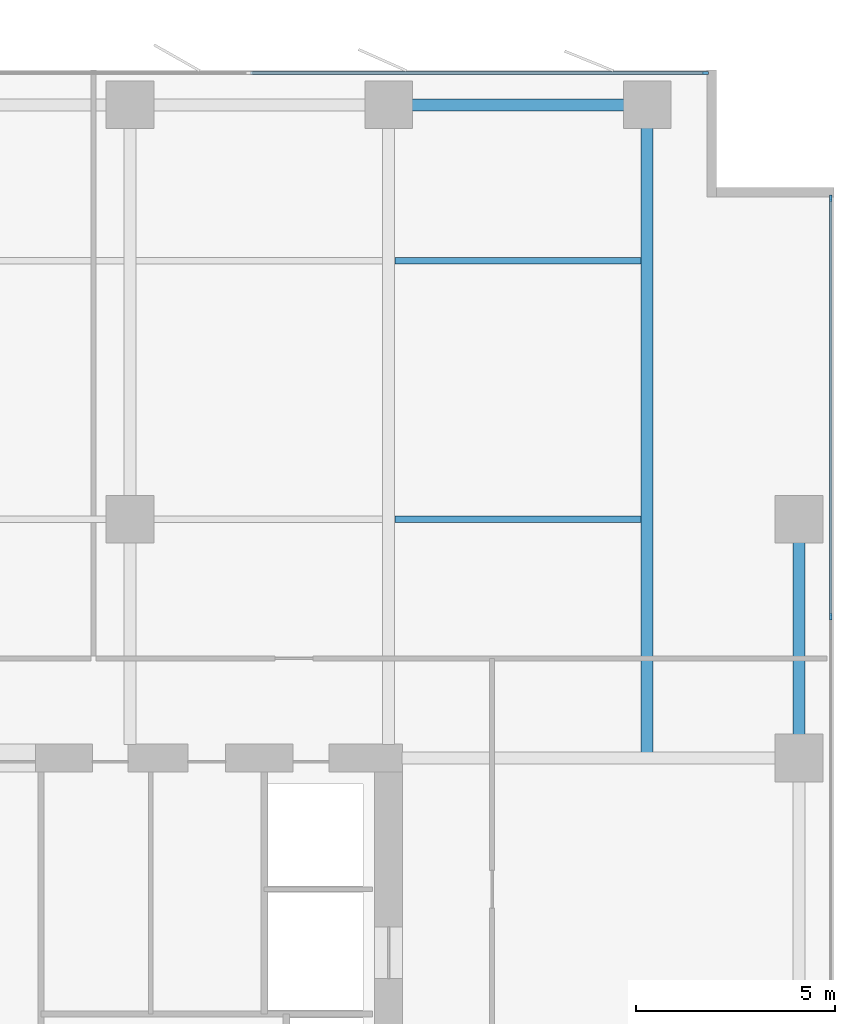
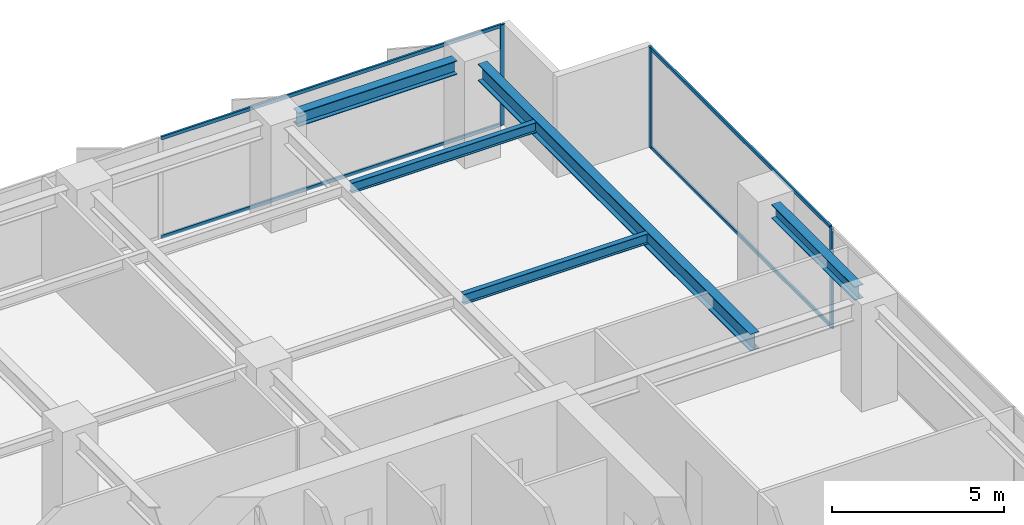
# One storey, part 11 of 20: 7 members, 5 beams, 2 elements without a shape of their own.
"""IFC4 building model written with IfcOpenShell, lengths in metres."""

from ifc_helpers import new_model, si_unit, direction, frame, origin, origin_2d, place, context, subcontext, project, spatial, rectangle, i_section, extrude, material, layer, layer_set, material_profile, profile_set, type_object, element, aggregate, save


model = new_model("IFC4")

# Units and contexts
model_context = context("Model", 3, precision=1e-05, world=origin(), true_north=direction((0.0, 1.0)))
body_context = subcontext(model_context, "Body", "Model", "MODEL_VIEW")
ifc_project = project(units=[si_unit("LENGTHUNIT", "METRE"), si_unit("AREAUNIT", "SQUARE_METRE"), si_unit("VOLUMEUNIT", "CUBIC_METRE"), si_unit("PLANEANGLEUNIT", "RADIAN"), si_unit("MASSUNIT", "GRAM", prefix="KILO")], contexts=[model_context])

# Site, building, storey
site_placement = place(None, origin())
site = spatial("IfcSite", under=ifc_project, at=site_placement, CompositionType="ELEMENT")
building_placement = place(site_placement, origin())
building = spatial("IfcBuilding", under=site, at=building_placement, Name="Putna Gate Headquarters", CompositionType="ELEMENT")
storey_placement = place(building_placement, frame((0.0, 0.0, 101.199951171875)))
storey = spatial("IfcBuildingStorey", under=building, at=storey_placement, Name="L24", CompositionType="ELEMENT", Elevation=101.199951171875)

# Beams
ifc_material_1 = material(Name="Steel S355J2", Category="steel")
ifc_material_profile_1 = material_profile(ifc_material_1, i_section(OverallWidth=0.300048828125, OverallDepth=0.60009765625, WebThickness=0.015380859375, FlangeThickness=0.030029296875, at=origin_2d()), Name="Steel S355J2")
ifc_profile_set_1 = profile_set([ifc_material_profile_1], Name="Steel S355J2")
beam_type_1 = type_object("IfcBeamType", Name="BM-GIRD-Z2-HEB600", PredefinedType="USERDEFINED", material=ifc_profile_set_1)
beam_1_placement = place(storey_placement, frame((71.5, 33.011962890625, 3.26513671875), z_axis=(0.0, 1.0, 0.0), x_axis=(-1.0, 0.0, 0.0)))
element("IfcBeam", 1, at=beam_1_placement, inside=storey, type_object=beam_type_1, Name="L24 North Primary Girder X71", ObjectType="GIRDER", PredefinedType="USERDEFINED", context=body_context, shape_type="SweptSolid", body=[
    extrude(i_section(OverallWidth=0.300048828125, OverallDepth=0.60009765625, WebThickness=0.015380859375, FlangeThickness=0.030029296875, at=origin_2d()), origin(), (0.0, 0.0, 1.0), 15.820068359375),
])
ifc_material_profile_2 = material_profile(ifc_material_1, i_section(OverallWidth=0.169921875, OverallDepth=0.360107421875, WebThickness=0.008056640625, FlangeThickness=0.0126953125, at=origin_2d()), Name="Steel S355J2")
ifc_profile_set_2 = profile_set([ifc_material_profile_2], Name="Steel S355J2")
beam_type_2 = type_object("IfcBeamType", Name="BM-SEC-Z2-IPE360", PredefinedType="BEAM", material=ifc_profile_set_2)
for number, where, z_axis, x_axis, name in (
    (2, (65.154052734375, 39.0, 3.385009765625), (1.0, 0.0, 0.0), (0.0, 1.0, 0.0), "L24 North Secondary Beam 10"),
    (3, (65.154052734375, 45.5, 3.385009765625), (1.0, 0.0, 0.0), (0.0, 1.0, 0.0), "L24 North Secondary Beam 10"),
):
    element("IfcBeam", number, at=place(storey_placement, frame(where, z_axis=z_axis, x_axis=x_axis)), inside=storey, type_object=beam_type_2, Name=name, PredefinedType="BEAM", context=body_context, shape_type="SweptSolid", body=[
        extrude(i_section(OverallWidth=0.169921875, OverallDepth=0.360107421875, WebThickness=0.008056640625, FlangeThickness=0.0126953125, at=origin_2d()), origin(), (0.0, 0.0, 1.0), 6.19189453125),
    ])
ifc_material_profile_3 = material_profile(ifc_material_1, i_section(OverallWidth=0.300048828125, OverallDepth=0.489990234375, WebThickness=0.011962890625, FlangeThickness=0.02294921875, at=origin_2d()), Name="Steel S355J2")
ifc_profile_set_3 = profile_set([ifc_material_profile_3], Name="Steel S355J2")
beam_type_3 = type_object("IfcBeamType", Name="BM-SPAN-Z2-HEA500", PredefinedType="SPANDREL", material=ifc_profile_set_3)
beam_2_placement = place(storey_placement, frame((65.587890625, 49.419921875, 3.320068359375), z_axis=(1.0, 0.0, 0.0), x_axis=(0.0, 1.0, 0.0)))
element("IfcBeam", 4, at=beam_2_placement, inside=storey, type_object=beam_type_3, Name="L24 N Perimeter Spandrel 10", PredefinedType="SPANDREL", context=body_context, shape_type="SweptSolid", body=[
    extrude(i_section(OverallWidth=0.300048828125, OverallDepth=0.489990234375, WebThickness=0.011962890625, FlangeThickness=0.02294921875, at=origin_2d()), origin(), (0.0, 0.0, 1.0), 5.32421875),
])
beam_3_placement = place(storey_placement, frame((75.320068359375, 33.587890625, 3.320068359375), z_axis=(0.0, 1.0, 0.0), x_axis=(-1.0, 0.0, 0.0)))
element("IfcBeam", 5, at=beam_3_placement, inside=storey, type_object=beam_type_3, Name="L24 E End Spandrel 3", PredefinedType="SPANDREL", context=body_context, shape_type="SweptSolid", body=[
    extrude(i_section(OverallWidth=0.300048828125, OverallDepth=0.489990234375, WebThickness=0.011962890625, FlangeThickness=0.02294921875, at=origin_2d()), origin(), (0.0, 0.0, 1.0), 4.82421875),
])

# Curtain wall, member
ifc_material_2 = material(Name="Anodised bronze aluminium curtain wall", Category="aluminium")
ifc_layer = layer(ifc_material_2, 0.159912109375)
ifc_layer_set = layer_set([ifc_layer], Name="Anodised bronze aluminium curtain wall")
curtain_wall_type = type_object("IfcCurtainWallType", Name="CW-SYS-Z2", PredefinedType="USERDEFINED", material=ifc_layer_set)
curtain_wall_1_placement = place(storey_placement, origin())
curtain_wall_1 = element("IfcCurtainWall", 6, at=curtain_wall_1_placement, inside=storey, type_object=curtain_wall_type, Name="L24 North East Curtain Wall", ObjectType="STICK CURTAIN WALL", PredefinedType="USERDEFINED")
ifc_material_3 = material(Name="Anodised bronze aluminium EN AW-6060", Category="aluminium")
ifc_material_profile_4 = material_profile(ifc_material_3, rectangle(XDim=0.06494140625, YDim=0.159912109375, at=origin_2d()), Name="Anodised bronze aluminium EN AW-6060")
ifc_profile_set_4 = profile_set([ifc_material_profile_4], Name="Anodised bronze aluminium EN AW-6060")
member_type_1 = type_object("IfcMemberType", Name="MULL-CWM-2", PredefinedType="MULLION", material=ifc_profile_set_4)
member_1_placement = place(storey_placement, frame((72.967529296875, 50.219970703125, 0.0), z_axis=(0.0, 0.0, 1.0), x_axis=(0.0, 1.0, 0.0)))
member_1 = element("IfcMember", 7, at=member_1_placement, type_object=member_type_1, Name="CWS-2 mullion 3", PredefinedType="MULLION", context=body_context, shape_type="SweptSolid", body=[
    extrude(rectangle(XDim=0.06494140625, YDim=0.159912109375, at=origin_2d()), origin(), (0.0, 0.0, 1.0), 3.56494140625),
])

# Curtain wall, members
curtain_wall_2_placement = place(storey_placement, origin())
curtain_wall_2 = element("IfcCurtainWall", 8, at=curtain_wall_2_placement, inside=storey, type_object=curtain_wall_type, Name="L24 East Curtain Wall", ObjectType="STICK CURTAIN WALL", PredefinedType="USERDEFINED")
member_2_placement = place(storey_placement, frame((76.1201171875, 36.550048828125, 0.0), z_axis=(0.0, 0.0, 1.0), x_axis=(-1.0, 0.0, 0.0)))
member_2 = element("IfcMember", 9, at=member_2_placement, type_object=member_type_1, Name="CWS-2 mullion 4", PredefinedType="MULLION", context=body_context, shape_type="SweptSolid", body=[
    extrude(rectangle(XDim=0.06494140625, YDim=0.159912109375, at=origin_2d()), origin(), (0.0, 0.0, 1.0), 3.56494140625),
])
member_3_placement = place(storey_placement, frame((76.1201171875, 47.0673828125, 0.0), z_axis=(0.0, 0.0, 1.0), x_axis=(-1.0, 0.0, 0.0)))
member_3 = element("IfcMember", 10, at=member_3_placement, type_object=member_type_1, Name="CWS-2 mullion 5", PredefinedType="MULLION", context=body_context, shape_type="SweptSolid", body=[
    extrude(rectangle(XDim=0.06494140625, YDim=0.159912109375, at=origin_2d()), origin(), (0.0, 0.0, 1.0), 3.56494140625),
])

# Member
ifc_material_profile_5 = material_profile(ifc_material_3, rectangle(XDim=0.06494140625, YDim=0.1201171875, at=origin_2d()), Name="Anodised bronze aluminium EN AW-6060")
ifc_profile_set_5 = profile_set([ifc_material_profile_5], Name="Anodised bronze aluminium EN AW-6060")
member_type_2 = type_object("IfcMemberType", Name="TRAN-CWT-2", PredefinedType="USERDEFINED", material=ifc_profile_set_5)
member_4_placement = place(storey_placement, frame((61.532470703125, 50.219970703125, 0.032470703125), z_axis=(1.0, 0.0, 0.0), x_axis=(0.0, 1.0, 0.0)))
member_4 = element("IfcMember", 11, at=member_4_placement, type_object=member_type_2, Name="CWS-2 transom 2.1", ObjectType="TRANSOM", PredefinedType="USERDEFINED", context=body_context, shape_type="SweptSolid", body=[
    extrude(rectangle(XDim=0.06494140625, YDim=0.1201171875, at=origin_2d()), origin(), (0.0, 0.0, 1.0), 11.402587890625),
])

member_5_placement = place(storey_placement, frame((61.532470703125, 50.219970703125, 3.532470703125), z_axis=(1.0, 0.0, 0.0), x_axis=(0.0, 1.0, 0.0)))
member_5 = element("IfcMember", 12, at=member_5_placement, type_object=member_type_2, Name="CWS-2 transom 2.2", ObjectType="TRANSOM", PredefinedType="USERDEFINED", context=body_context, shape_type="SweptSolid", body=[
    extrude(rectangle(XDim=0.06494140625, YDim=0.1201171875, at=origin_2d()), origin(), (0.0, 0.0, 1.0), 11.402587890625),
])

aggregate(curtain_wall_1, [member_1, member_4, member_5])

member_6_placement = place(storey_placement, frame((76.1201171875, 36.58251953125, 0.032470703125), z_axis=(0.0, 1.0, 0.0), x_axis=(-1.0, 0.0, 0.0)))
member_6 = element("IfcMember", 13, at=member_6_placement, type_object=member_type_2, Name="CWS-2 transom 4.1", ObjectType="TRANSOM", PredefinedType="USERDEFINED", context=body_context, shape_type="SweptSolid", body=[
    extrude(rectangle(XDim=0.06494140625, YDim=0.1201171875, at=origin_2d()), origin(), (0.0, 0.0, 1.0), 10.452392578125),
])

member_7_placement = place(storey_placement, frame((76.1201171875, 36.58251953125, 3.532470703125), z_axis=(0.0, 1.0, 0.0), x_axis=(-1.0, 0.0, 0.0)))
member_7 = element("IfcMember", 14, at=member_7_placement, type_object=member_type_2, Name="CWS-2 transom 4.2", ObjectType="TRANSOM", PredefinedType="USERDEFINED", context=body_context, shape_type="SweptSolid", body=[
    extrude(rectangle(XDim=0.06494140625, YDim=0.1201171875, at=origin_2d()), origin(), (0.0, 0.0, 1.0), 10.452392578125),
])

aggregate(curtain_wall_2, [member_2, member_3, member_6, member_7])

save(model, "model.ifc")
